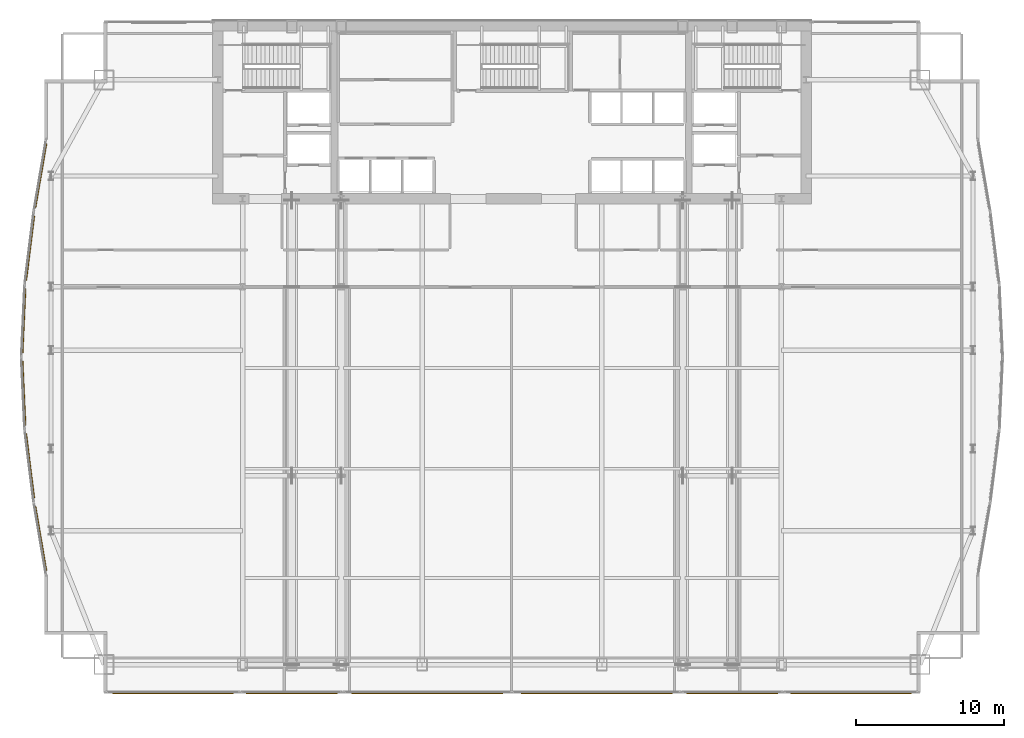
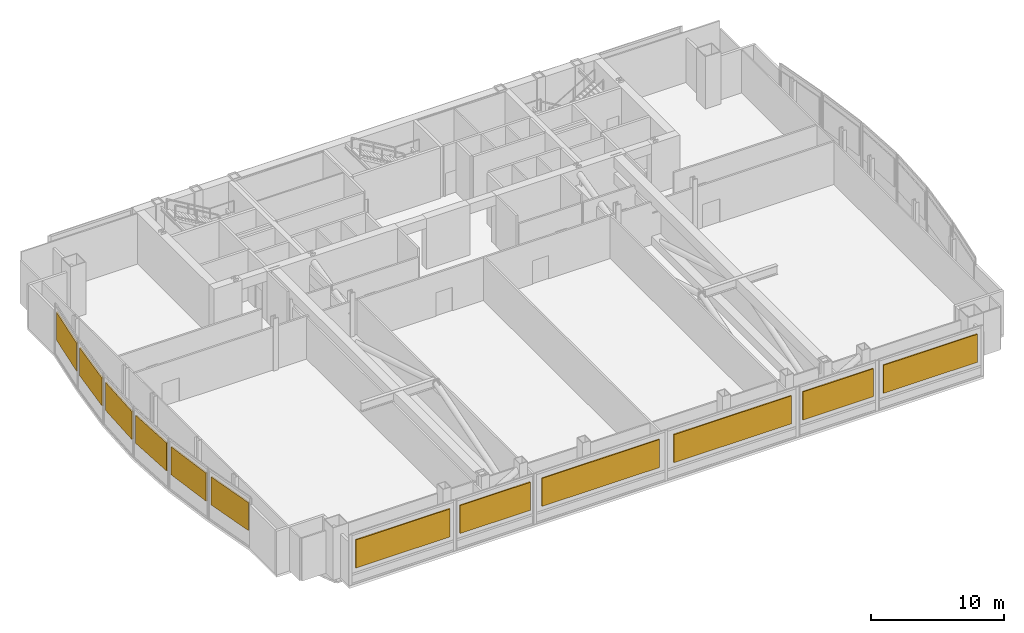
# One storey, part 28 of 30: 12 shading devices.
"""IFC4 building model written with IfcOpenShell, lengths in metres."""

from ifc_helpers import new_model, si_unit, direction, frame, origin, origin_2d, place, context, subcontext, project, spatial, rectangle, extrude, material, layer, layer_set, type_object, element, save


model = new_model("IFC4")

# Units and contexts
model_context = context("Model", 3, precision=1e-05, world=origin(), true_north=direction((0.0, 1.0)))
body_context = subcontext(model_context, "Body", "Model", "MODEL_VIEW")
ifc_project = project(units=[si_unit("LENGTHUNIT", "METRE"), si_unit("AREAUNIT", "SQUARE_METRE"), si_unit("VOLUMEUNIT", "CUBIC_METRE"), si_unit("PLANEANGLEUNIT", "RADIAN"), si_unit("MASSUNIT", "GRAM", prefix="KILO")], contexts=[model_context])

# Site, building, storey
site_placement = place(None, origin())
site = spatial("IfcSite", under=ifc_project, at=site_placement, CompositionType="ELEMENT")
building_placement = place(site_placement, origin())
building = spatial("IfcBuilding", under=site, at=building_placement, Name="Khoronbel Lancet Exchange", CompositionType="ELEMENT")
storey_placement = place(building_placement, frame((0.0, 0.0, 172.199951171875)))
storey = spatial("IfcBuildingStorey", under=building, at=storey_placement, Name="L43", CompositionType="ELEMENT", Elevation=172.199951171875)

# Shading devices
ifc_material = material(Name="Bronze-Anodised Aluminium 6063-T6", Category="aluminium")
ifc_layer = layer(ifc_material, 0.1201171875, Name="Bronze-Anodised Aluminium 6063-T6")
ifc_layer_set = layer_set([ifc_layer], Name="Bronze-Anodised Aluminium 6063-T6")
shading_device_type = type_object("IfcShadingDeviceType", Name="SHD-LVR1", PredefinedType="JALOUSIE", material=ifc_layer_set)
shading_device_1_placement = place(storey_placement, frame((4.56005859375, 18.67529296875, 1.47119140625), z_axis=(0.0, 0.0, 1.0), x_axis=(-0.168009300828, 0.985785410135, 0.0)))
element("IfcShadingDevice", 1, at=shading_device_1_placement, inside=storey, type_object=shading_device_type, Name="Sand-trap bronze acoustic louvre CW-L43-E04-1", PredefinedType="JALOUSIE", context=body_context, shape_type="SweptSolid", body=[
    extrude(rectangle(XDim=4.412841796875, YDim=0.1201171875, at=origin_2d()), origin(), (0.0, 0.0, 1.0), 2.57763671875),
])
shading_device_2_placement = place(storey_placement, frame((3.834228515625, 23.59033203125, 1.47119140625), z_axis=(0.0, 0.0, 1.0), x_axis=(-0.123838274483, 0.992302414475, 0.0)))
element("IfcShadingDevice", 2, at=shading_device_2_placement, inside=storey, type_object=shading_device_type, Name="Sand-trap bronze acoustic louvre CW-L43-E05-1", PredefinedType="JALOUSIE", context=body_context, shape_type="SweptSolid", body=[
    extrude(rectangle(XDim=4.373291015625, YDim=0.1201171875, at=origin_2d()), origin(), (0.0, 0.0, 1.0), 2.57763671875),
])
for number, where, z_axis, x_axis, name in (
    (3, (3.416015625, 28.497314453125, 1.47119140625), (0.0, 0.0, 1.0), (-0.045602424407, 0.998959668299, 0.0), "Sand-trap bronze acoustic louvre CW-L43-E06-1"),
    (4, (3.416015625, 33.402587890625, 1.47119140625), (0.0, 0.0, 1.0), (0.045602424407, 0.998959668299, 0.0), "Sand-trap bronze acoustic louvre CW-L43-E07-1"),
):
    element("IfcShadingDevice", number, at=place(storey_placement, frame(where, z_axis=z_axis, x_axis=x_axis)), inside=storey, type_object=shading_device_type, Name=name, PredefinedType="JALOUSIE", context=body_context, shape_type="SweptSolid", body=[
        extrude(rectangle(XDim=4.341796875, YDim=0.1201171875, at=origin_2d()), origin(), (0.0, 0.0, 1.0), 2.57763671875),
    ])
shading_device_3_placement = place(storey_placement, frame((3.834228515625, 38.309814453125, 1.47119140625), z_axis=(0.0, 0.0, 1.0), x_axis=(0.123838274483, 0.992302414475, 0.0)))
element("IfcShadingDevice", 5, at=shading_device_3_placement, inside=storey, type_object=shading_device_type, Name="Sand-trap bronze acoustic louvre CW-L43-E08-1", PredefinedType="JALOUSIE", context=body_context, shape_type="SweptSolid", body=[
    extrude(rectangle(XDim=4.373291015625, YDim=0.1201171875, at=origin_2d()), origin(), (0.0, 0.0, 1.0), 2.57763671875),
])
shading_device_4_placement = place(storey_placement, frame((4.56005859375, 43.224609375, 1.47119140625), z_axis=(0.0, 0.0, 1.0), x_axis=(0.168009300828, 0.985785410135, 0.0)))
element("IfcShadingDevice", 6, at=shading_device_4_placement, inside=storey, type_object=shading_device_type, Name="Sand-trap bronze acoustic louvre CW-L43-E09-1", PredefinedType="JALOUSIE", context=body_context, shape_type="SweptSolid", body=[
    extrude(rectangle(XDim=4.412841796875, YDim=0.1201171875, at=origin_2d()), origin(), (0.0, 0.0, 1.0), 2.57763671875),
])
shading_device_5_placement = place(storey_placement, frame((13.52001953125, 8.25, 1.47119140625), z_axis=(0.0, 0.0, 1.0), x_axis=(1.0, 0.0, 0.0)))
element("IfcShadingDevice", 7, at=shading_device_5_placement, inside=storey, type_object=shading_device_type, Name="Sand-trap bronze acoustic louvre CW-L43-SWV-1", PredefinedType="JALOUSIE", context=body_context, shape_type="SweptSolid", body=[
    extrude(rectangle(XDim=8.1630859375, YDim=0.1201171875, at=origin_2d()), origin(), (0.0, 0.0, 1.0), 2.57763671875),
])
shading_device_6_placement = place(storey_placement, frame((21.550048828125, 8.25, 1.47119140625), z_axis=(0.0, 0.0, 1.0), x_axis=(1.0, 0.0, 0.0)))
element("IfcShadingDevice", 8, at=shading_device_6_placement, inside=storey, type_object=shading_device_type, Name="Sand-trap bronze acoustic louvre CW-L43-SWB-1", PredefinedType="JALOUSIE", context=body_context, shape_type="SweptSolid", body=[
    extrude(rectangle(XDim=6.12890625, YDim=0.1201171875, at=origin_2d()), origin(), (0.0, 0.0, 1.0), 2.57763671875),
])
for number, where, z_axis, x_axis, name in (
    (9, (30.72509765625, 8.25, 1.47119140625), (0.0, 0.0, 1.0), (1.0, 0.0, 0.0), "Sand-trap bronze acoustic louvre CW-L43-SCV-1"),
    (10, (42.175048828125, 8.25, 1.47119140625), (0.0, 0.0, 1.0), (1.0, 0.0, 0.0), "Sand-trap bronze acoustic louvre CW-L43-SCV-2"),
):
    element("IfcShadingDevice", number, at=place(storey_placement, frame(where, z_axis=z_axis, x_axis=x_axis)), inside=storey, type_object=shading_device_type, Name=name, PredefinedType="JALOUSIE", context=body_context, shape_type="SweptSolid", body=[
        extrude(rectangle(XDim=10.22412109375, YDim=0.1201171875, at=origin_2d()), origin(), (0.0, 0.0, 1.0), 2.57763671875),
    ])
shading_device_7_placement = place(storey_placement, frame((51.35009765625, 8.25, 1.47119140625), z_axis=(0.0, 0.0, 1.0), x_axis=(1.0, 0.0, 0.0)))
element("IfcShadingDevice", 11, at=shading_device_7_placement, inside=storey, type_object=shading_device_type, Name="Sand-trap bronze acoustic louvre CW-L43-SEB-1", PredefinedType="JALOUSIE", context=body_context, shape_type="SweptSolid", body=[
    extrude(rectangle(XDim=6.12890625, YDim=0.1201171875, at=origin_2d()), origin(), (0.0, 0.0, 1.0), 2.57763671875),
])
shading_device_8_placement = place(storey_placement, frame((59.3798828125, 8.25, 1.47119140625), z_axis=(0.0, 0.0, 1.0), x_axis=(1.0, 0.0, 0.0)))
element("IfcShadingDevice", 12, at=shading_device_8_placement, inside=storey, type_object=shading_device_type, Name="Sand-trap bronze acoustic louvre CW-L43-SEV-1", PredefinedType="JALOUSIE", context=body_context, shape_type="SweptSolid", body=[
    extrude(rectangle(XDim=8.1630859375, YDim=0.1201171875, at=origin_2d()), origin(), (0.0, 0.0, 1.0), 2.57763671875),
])

save(model, "model.ifc")
